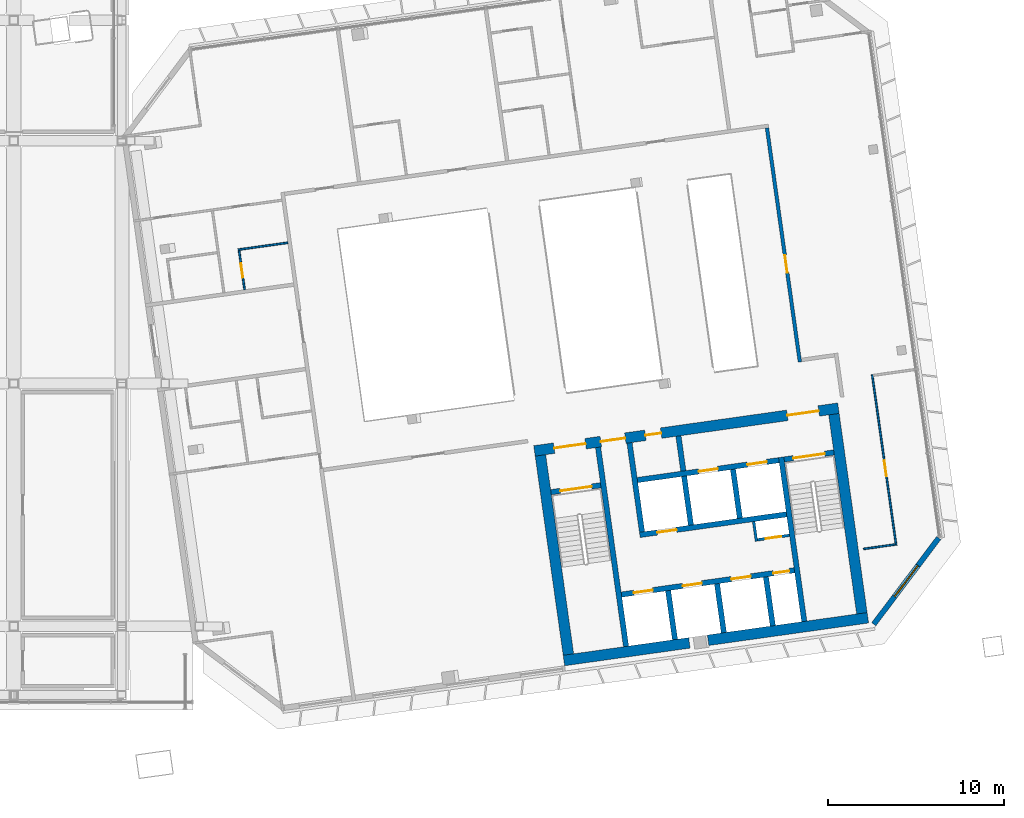
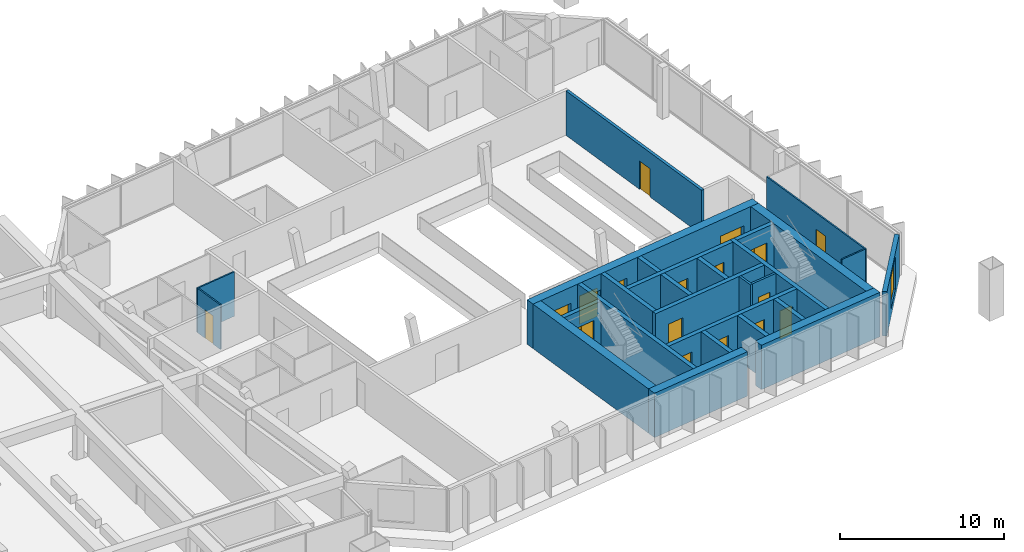
# One storey, part 19 of 25: 27 walls, 17 doors, 1 window, 18 openings.
"""IFC4 building model written with IfcOpenShell, lengths in metres."""

import ifcopenshell
import ifcopenshell.guid

model = None  # the IFC model being written
_history = None  # IfcOwnerHistory: only IFC2X3 demands one
_inside = {}  # id of a spatial element -> (the spatial element, [elements in it])
_under = {}  # id of a project, library or spatial element -> (it, [spatial elements below it])
_declared = {}  # id of a project -> (the project, [libraries it declares])
_typed = {}  # id of a type object -> (the type object, [elements of that type])
_made_of = {}  # id of a material, layer set ... -> (it, [elements and type objects made of it])


def new_model(schema):
    """Start an empty IFC model of exactly this schema.

    Asked for "IFC4X3", IfcOpenShell would pick the latest addendum, in which some entities
    have other attributes; the version numbers below select the first issue.
    IFC2X3 requires an IfcOwnerHistory on every rooted entity: one is made here for all.
    """
    global model, _history
    if schema == "IFC4X3":
        model = ifcopenshell.file(schema_version=(4, 3, 0, 0))
    else:
        model = ifcopenshell.file(schema=schema)
    _inside.clear()
    _under.clear()
    _declared.clear()
    _typed.clear()
    _made_of.clear()
    _history = None
    if model.schema == "IFC2X3":
        org = make("IfcOrganization", Name="unknown")
        user = make(
            "IfcPersonAndOrganization",
            ThePerson=make("IfcPerson", FamilyName="unknown"),
            TheOrganization=org,
        )
        app = make(
            "IfcApplication",
            ApplicationDeveloper=org,
            Version="unknown",
            ApplicationFullName="unknown",
            ApplicationIdentifier="unknown",
        )
        _history = make(
            "IfcOwnerHistory",
            OwningUser=user,
            OwningApplication=app,
            ChangeAction="ADDED",
            CreationDate=0,
        )
    return model


def make(cls, **values):
    """One entity of the class cls with the attributes given. An attribute that is None is left unset."""
    return model.create_entity(
        cls, **{name: value for name, value in values.items() if value is not None}
    )


def rooted(cls, **values):
    """An entity with a GlobalId (a new one), such as an element, a storey or a relation."""
    return make(cls, GlobalId=ifcopenshell.guid.new(), OwnerHistory=_history, **values)


def si_unit(unit_type, name, prefix=None):
    """IfcSIUnit, for example si_unit("LENGTHUNIT", "METRE", prefix="MILLI")."""
    return make("IfcSIUnit", UnitType=unit_type, Prefix=prefix, Name=name)


def assignment(units):
    """IfcUnitAssignment: the units of a project."""
    return None if units is None else make("IfcUnitAssignment", Units=units)


def point(xyz):
    """IfcCartesianPoint."""
    return None if xyz is None else make("IfcCartesianPoint", Coordinates=xyz)


def direction(xyz):
    """IfcDirection."""
    return None if xyz is None else make("IfcDirection", DirectionRatios=xyz)


def frame(location, z_axis=None, x_axis=None):
    """IfcAxis2Placement3D, a coordinate frame: its origin and axes. An axis left out is left unset."""
    return make(
        "IfcAxis2Placement3D",
        Location=point(location),
        Axis=direction(z_axis),
        RefDirection=direction(x_axis),
    )


def frame_2d(location, x_axis=None):
    """IfcAxis2Placement2D, a coordinate frame in the plane: its origin and x axis."""
    return make(
        "IfcAxis2Placement2D", Location=point(location), RefDirection=direction(x_axis)
    )


def origin():
    """The frame at (0, 0, 0) with its axes left unset."""
    return frame((0.0, 0.0, 0.0))


def place(relative_to, where):
    """IfcLocalPlacement: puts the frame where relative to a parent placement (None: the world)."""
    return make(
        "IfcLocalPlacement", PlacementRelTo=relative_to, RelativePlacement=where
    )


def context(
    kind, dimensions, precision=None, world=None, true_north=None, identifier=None
):
    """IfcGeometricRepresentationContext, for example the 3D "Model" context."""
    return make(
        "IfcGeometricRepresentationContext",
        ContextIdentifier=identifier,
        ContextType=kind,
        CoordinateSpaceDimension=dimensions,
        Precision=precision,
        WorldCoordinateSystem=world,
        TrueNorth=true_north,
    )


def subcontext(parent, identifier, kind, view, scale=None):
    """IfcGeometricRepresentationSubContext, for example "Body" below "Model"."""
    return make(
        "IfcGeometricRepresentationSubContext",
        ContextIdentifier=identifier,
        ContextType=kind,
        ParentContext=parent,
        TargetScale=scale,
        TargetView=view,
    )


def project(units=None, contexts=None):
    """IfcProject with its units and contexts."""
    return rooted(
        "IfcProject",
        Name="project",
        RepresentationContexts=contexts,
        UnitsInContext=assignment(units),
    )


def spatial(cls, under=None, at=None, **own):
    """A site, building, storey or space (cls), placed at a placement, below another one or the project."""
    s = rooted(cls, ObjectPlacement=at, **own)
    if under is not None:
        _under.setdefault(under.id(), (under, []))[1].append(s)
    return s


def profile(cls, at=None, kind="AREA", **sizes):
    """A parametric profile (cls). Its sizes go by their IFC names, for example OverallWidth=200.0."""
    return make(cls, ProfileType=kind, Position=at, **sizes)


def rectangle(**sizes):
    """IfcRectangleProfileDef."""
    return profile("IfcRectangleProfileDef", **sizes)


def extrude(swept, where, along, depth):
    """IfcExtrudedAreaSolid: the profile swept, set in the frame where, extruded along a direction by depth."""
    return make(
        "IfcExtrudedAreaSolid",
        SweptArea=swept,
        Position=where,
        ExtrudedDirection=direction(along),
        Depth=depth,
    )


def shape(context_of_items, identifier, shape_type, items):
    """IfcShapeRepresentation: the items that make up one representation, for example the "Body"."""
    return make(
        "IfcShapeRepresentation",
        ContextOfItems=context_of_items,
        RepresentationIdentifier=identifier,
        RepresentationType=shape_type,
        Items=items,
    )


def material(Name=None, Category=None):
    """IfcMaterial."""
    return make("IfcMaterial", Name=Name, Category=Category)


def layer(
    of_material, thickness, ventilated=None, Name=None, Category=None, Priority=None
):
    """IfcMaterialLayer: one layer of a wall or slab, of a material (None: an air gap)."""
    return make(
        "IfcMaterialLayer",
        Material=of_material,
        LayerThickness=thickness,
        IsVentilated=ventilated,
        Name=Name,
        Category=Category,
        Priority=Priority,
    )


def layer_set(layers, Name=None):
    """IfcMaterialLayerSet."""
    return make("IfcMaterialLayerSet", MaterialLayers=layers, LayerSetName=Name)


def made_of(thing, what):
    """Note that an element or type object is made of a material, layer set ...; save() writes the relation."""
    if what is not None:
        _made_of.setdefault(what.id(), (what, []))[1].append(thing)
    return thing


def type_object(cls, material=None, **own):
    """A type object (cls), such as IfcWallType, which elements share."""
    return made_of(rooted(cls, **own), material)


def element(
    cls,
    number,
    at=None,
    inside=None,
    cuts=None,
    type_object=None,
    material=None,
    context=None,
    identifier="Body",
    shape_type=None,
    held_by="IfcProductDefinitionShape",
    body=None,
    shapes=None,
    **own,
):
    """One element of the class cls, such as IfcWall. Its Tag is "e" and its number.

    at: its placement. inside: the storey or other place that contains it. cuts: it is an
    opening in that element (IfcRelVoidsElement). A single representation is given by context,
    identifier, shape_type and body (its items); several are given by shapes. held_by: the class
    of the entity that holds the representations. save() writes the other relations.
    """
    e = rooted(cls, Tag="e%d" % number, ObjectPlacement=at, **own)
    if body is not None:
        shapes = [shape(context, identifier, shape_type, body)]
    if shapes is not None:
        e.Representation = make(held_by, Representations=shapes)
    if inside is not None:
        _inside.setdefault(inside.id(), (inside, []))[1].append(e)
    if cuts is not None:
        rooted(
            "IfcRelVoidsElement", RelatingBuildingElement=cuts, RelatedOpeningElement=e
        )
    if type_object is not None:
        _typed.setdefault(type_object.id(), (type_object, []))[1].append(e)
    return made_of(e, material)


def fill(opening, filler):
    """IfcRelFillsElement: the door or window that sits in an opening."""
    return rooted(
        "IfcRelFillsElement",
        RelatingOpeningElement=opening,
        RelatedBuildingElement=filler,
    )


def aggregate(whole, parts):
    """IfcRelAggregates: a whole, such as a stair, and the parts it consists of."""
    return rooted("IfcRelAggregates", RelatingObject=whole, RelatedObjects=parts)


def save(model, path):
    """Write the relations noted so far, then the file.

    IfcRelAggregates (storeys below a building ...), IfcRelContainedInSpatialStructure (elements
    in a storey), IfcRelDefinesByType, IfcRelAssociatesMaterial and IfcRelDeclares: one each for
    every whole, place, type object, material and project.
    """
    for whole, parts in _under.values():
        aggregate(whole, parts)
    for where, things in _inside.values():
        rooted(
            "IfcRelContainedInSpatialStructure",
            RelatedElements=things,
            RelatingStructure=where,
        )
    for kind, things in _typed.values():
        rooted("IfcRelDefinesByType", RelatedObjects=things, RelatingType=kind)
    for what, things in _made_of.values():
        rooted("IfcRelAssociatesMaterial", RelatedObjects=things, RelatingMaterial=what)
    for by, libraries in _declared.values():
        rooted("IfcRelDeclares", RelatingContext=by, RelatedDefinitions=libraries)
    model.write(path)


model = new_model("IFC4")

# Units and contexts
model_context = context("Model", 3, precision=1e-05, world=origin(), true_north=direction((0.0, 1.0)))
body_context = subcontext(model_context, "Body", "Model", "MODEL_VIEW")
ifc_project = project(units=[si_unit("LENGTHUNIT", "METRE"), si_unit("AREAUNIT", "SQUARE_METRE"), si_unit("VOLUMEUNIT", "CUBIC_METRE"), si_unit("PLANEANGLEUNIT", "RADIAN"), si_unit("MASSUNIT", "GRAM", prefix="KILO")], contexts=[model_context])

# Site, building, storey
site_placement = place(None, origin())
site = spatial("IfcSite", under=ifc_project, at=site_placement, CompositionType="ELEMENT")
building_placement = place(site_placement, origin())
building = spatial("IfcBuilding", under=site, at=building_placement, Name="Mirante Cascada Hotel Towers", CompositionType="ELEMENT")
storey_placement = place(building_placement, frame((0.0, 0.0, 266.0)))
storey = spatial("IfcBuildingStorey", under=building, at=storey_placement, Name="L64", CompositionType="ELEMENT", Elevation=266.0)

# Wall, opening, door
ifc_material_1 = material(Name="Fire-rated plasterboard on metal studs")
ifc_layer_1 = layer(ifc_material_1, 0.2)
ifc_layer_set_1 = layer_set([ifc_layer_1], Name="Compartment wall 200 EI 120")
wall_type_1 = type_object("IfcWallType", Name="Compartment wall 200 EI 120", PredefinedType="PARTITIONING", material=ifc_layer_set_1)
wall_1_placement = place(storey_placement, frame((48.8237, 10.6428, 0.0), z_axis=(0.0, 0.0, 1.0), x_axis=(0.1391716, -0.9902683, 0.0)))
wall_1 = element("IfcWall", 1, at=wall_1_placement, inside=storey, type_object=wall_type_1, Name="Wall 2-L64-42", PredefinedType="PARTITIONING", context=body_context, shape_type="SweptSolid", body=[
    extrude(rectangle(XDim=13.4, YDim=0.2, at=frame_2d((6.7, 0.0))), origin(), (0.0, 0.0, 1.0), 3.3),
])
opening_1_placement = place(wall_1_placement, frame((7.3, 0.0, 0.0)))
opening_1 = element("IfcOpeningElement", 2, at=opening_1_placement, cuts=wall_1, Name="Opening D2-L64-26", PredefinedType="OPENING", context=body_context, shape_type="SweptSolid", body=[
    extrude(rectangle(XDim=1.0, YDim=2.1, at=frame_2d((0.5, 1.05))), frame((0.0, 0.1, 0.0), z_axis=(0.0, -1.0, 0.0), x_axis=(1.0, 0.0, 0.0)), (0.0, 0.0, 1.0), 0.2),
])
ifc_material_2 = material(Name="Fire-rated timber door leaf", Category="wood")
door_type_1 = type_object("IfcDoorType", Name="Entrance door DG1 1000x2100 EI 60", OperationType="SINGLE_SWING_LEFT", PredefinedType="DOOR", material=ifc_material_2)
door_1_placement = place(opening_1_placement, origin())
door_1 = element("IfcDoor", 3, at=door_1_placement, inside=storey, type_object=door_type_1, Name="Door D2-L64-26", OperationType="SINGLE_SWING_LEFT", OverallHeight=2.1, OverallWidth=1.0, PredefinedType="DOOR", context=body_context, shape_type="SweptSolid", body=[
    extrude(rectangle(XDim=1.0, YDim=2.1, at=frame_2d((0.5, 1.05))), frame((0.0, 0.025, 0.0), z_axis=(0.0, -1.0, 0.0), x_axis=(1.0, 0.0, 0.0)), (0.0, 0.0, 1.0), 0.05),
])
fill(opening_1, door_1)

# Wall
ifc_material_3 = material(Name="Masonry block", Category="masonry")
ifc_layer_2 = layer(ifc_material_3, 0.15)
ifc_layer_set_2 = layer_set([ifc_layer_2], Name="Core room partition 150 block EI 30")
wall_type_2 = type_object("IfcWallType", Name="Core room partition 150 block EI 30", PredefinedType="PARTITIONING", material=ifc_layer_set_2)
wall_2_placement = place(storey_placement, frame((48.2295, -12.793, 0.0), z_axis=(0.0, 0.0, 1.0), x_axis=(-0.1391935, 0.9902652, 0.0)))
element("IfcWall", 4, at=wall_2_placement, inside=storey, type_object=wall_type_2, Name="Core wall partition T2 L64 2", PredefinedType="PARTITIONING", context=body_context, shape_type="SweptSolid", body=[
    extrude(rectangle(XDim=1.1251, YDim=0.15, at=frame_2d((0.5626, 0.0))), origin(), (0.0, 0.0, 1.0), 3.3),
])

# Wall, opening, door
wall_3_placement = place(storey_placement, frame((48.2933, -12.7083, 0.0), z_axis=(0.0, 0.0, 1.0), x_axis=(0.990268, 0.1391734, 0.0)))
wall_3 = element("IfcWall", 5, at=wall_3_placement, inside=storey, type_object=wall_type_2, Name="Core wall partition T2 L64 3", PredefinedType="PARTITIONING", context=body_context, shape_type="SweptSolid", body=[
    extrude(rectangle(XDim=1.8251, YDim=0.15, at=frame_2d((0.9126, 0.0))), origin(), (0.0, 0.0, 1.0), 3.3),
])
opening_2_placement = place(wall_3_placement, frame((0.4625, 0.0, 0.0)))
opening_2 = element("IfcOpeningElement", 6, at=opening_2_placement, cuts=wall_3, Name="Opening D2-64-C13", PredefinedType="OPENING", context=body_context, shape_type="SweptSolid", body=[
    extrude(rectangle(XDim=0.9, YDim=2.1, at=frame_2d((0.45, 1.05))), frame((0.0, 0.075, 0.0), z_axis=(0.0, -1.0, 0.0), x_axis=(1.0, 0.0, 0.0)), (0.0, 0.0, 1.0), 0.15),
])
ifc_material_4 = material(Name="Hollow metal fire door leaf")
door_type_2 = type_object("IfcDoorType", Name="Fire door 900x2100 FD60", OperationType="NOTDEFINED", PredefinedType="DOOR", material=ifc_material_4)
door_2_placement = place(opening_2_placement, frame((0.9, 0.0, 0.0), z_axis=(0.0, 0.0, 1.0), x_axis=(-1.0, 0.0, 0.0)))
door_2 = element("IfcDoor", 7, at=door_2_placement, inside=storey, type_object=door_type_2, Name="Riser door T2 L64 13", OperationType="SINGLE_SWING_RIGHT", OverallHeight=2.1, OverallWidth=0.9, PredefinedType="DOOR", context=body_context, shape_type="SweptSolid", body=[
    extrude(rectangle(XDim=0.9, YDim=2.1, at=frame_2d((0.45, 1.05))), frame((0.0, 0.025, 0.0), z_axis=(0.0, -1.0, 0.0), x_axis=(1.0, 0.0, 0.0)), (0.0, 0.0, 1.0), 0.05),
])
fill(opening_2, door_2)

# Walls
ifc_material_5 = material(Name="Masonry block", Category="masonry")
ifc_layer_3 = layer(ifc_material_5, 0.3)
ifc_layer_set_3 = layer_set([ifc_layer_3], Name="Core wall 300 block EI 120")
wall_type_3 = type_object("IfcWallType", Name="Core wall 300 block EI 120", PredefinedType="PARTITIONING", material=ifc_layer_set_3)
wall_4_placement = place(storey_placement, frame((44.0843, -8.8061, 0.0), z_axis=(0.0, 0.0, 1.0), x_axis=(-0.1391951, 0.990265, 0.0)))
element("IfcWall", 8, at=wall_4_placement, inside=storey, type_object=wall_type_3, Name="Core wall partition T2 L64 1", PredefinedType="PARTITIONING", context=body_context, shape_type="SweptSolid", body=[
    extrude(rectangle(XDim=2.0001, YDim=0.3, at=frame_2d((1.0001, 0.0))), origin(), (0.0, 0.0, 1.0), 3.3),
])
ifc_material_6 = material(Name="Plasterboard on metal studs")
ifc_layer_4 = layer(ifc_material_6, 0.1)
ifc_layer_set_4 = layer_set([ifc_layer_4], Name="Partition 100")
wall_type_4 = type_object("IfcWallType", Name="Partition 100", PredefinedType="PARTITIONING", material=ifc_layer_set_4)
wall_5_placement = place(storey_placement, frame((56.0914, -12.9756, 0.0), z_axis=(0.0, 0.0, 1.0), x_axis=(-0.9902685, -0.1391702, 0.0)))
element("IfcWall", 9, at=wall_5_placement, inside=storey, type_object=wall_type_4, Name="Wall 2-L64-02", PredefinedType="PARTITIONING", context=body_context, shape_type="SweptSolid", body=[
    extrude(rectangle(XDim=1.81, YDim=0.1, at=frame_2d((0.905, 0.0))), origin(), (0.0, 0.0, 1.0), 3.3),
])
wall_6_placement = place(storey_placement, frame((21.6653, 4.133, 0.0), z_axis=(0.0, 0.0, 1.0), x_axis=(-0.9902697, -0.1391613, 0.0)))
element("IfcWall", 10, at=wall_6_placement, inside=storey, type_object=wall_type_4, Name="Wall 2-L64-12", PredefinedType="PARTITIONING", context=body_context, shape_type="SweptSolid", body=[
    extrude(rectangle(XDim=2.8499, YDim=0.1, at=frame_2d((1.425, 0.0))), origin(), (0.0, 0.0, 1.0), 3.3),
])

# Wall, opening, door
wall_7_placement = place(storey_placement, frame((18.8995, 3.6938, 0.0), z_axis=(0.0, 0.0, 1.0), x_axis=(0.1391997, -0.9902643, 0.0)))
wall_7 = element("IfcWall", 11, at=wall_7_placement, inside=storey, type_object=wall_type_4, Name="Wall 2-L64-32", PredefinedType="PARTITIONING", context=body_context, shape_type="SweptSolid", body=[
    extrude(rectangle(XDim=2.25, YDim=0.1, at=frame_2d((1.125, 0.0))), origin(), (0.0, 0.0, 1.0), 3.3),
])
opening_3_placement = place(wall_7_placement, frame((0.75, 0.0, 0.0)))
opening_3 = element("IfcOpeningElement", 12, at=opening_3_placement, cuts=wall_7, Name="Opening D2-L64-21", PredefinedType="OPENING", context=body_context, shape_type="SweptSolid", body=[
    extrude(rectangle(XDim=0.8, YDim=2.1, at=frame_2d((0.4, 1.05))), frame((0.0, 0.05, 0.0), z_axis=(0.0, -1.0, 0.0), x_axis=(1.0, 0.0, 0.0)), (0.0, 0.0, 1.0), 0.1),
])
ifc_material_7 = material(Name="Timber door leaf", Category="wood")
door_type_3 = type_object("IfcDoorType", Name="Bathroom door DG4 800x2100", OperationType="SINGLE_SWING_LEFT", PredefinedType="DOOR", material=ifc_material_7)
door_3_placement = place(opening_3_placement, origin())
door_3 = element("IfcDoor", 13, at=door_3_placement, inside=storey, type_object=door_type_3, Name="Door D2-L64-21", OperationType="SINGLE_SWING_LEFT", OverallHeight=2.1, OverallWidth=0.8, PredefinedType="DOOR", context=body_context, shape_type="SweptSolid", body=[
    extrude(rectangle(XDim=0.8, YDim=2.1, at=frame_2d((0.4, 1.05))), frame((0.0, 0.025, 0.0), z_axis=(0.0, -1.0, 0.0), x_axis=(1.0, 0.0, 0.0)), (0.0, 0.0, 1.0), 0.05),
])
fill(opening_3, door_3)

wall_8_placement = place(storey_placement, frame((54.7886, -3.3465, 0.0), z_axis=(0.0, 0.0, 1.0), x_axis=(0.1391776, -0.9902674, 0.0)))
wall_8 = element("IfcWall", 14, at=wall_8_placement, inside=storey, type_object=wall_type_4, Name="Wall 2-L64-46", PredefinedType="PARTITIONING", context=body_context, shape_type="SweptSolid", body=[
    extrude(rectangle(XDim=9.7667, YDim=0.1, at=frame_2d((4.8834, 0.0))), origin(), (0.0, 0.0, 1.0), 3.3),
])
opening_4_placement = place(wall_8_placement, frame((4.9167, 0.0, 0.0)))
opening_4 = element("IfcOpeningElement", 15, at=opening_4_placement, cuts=wall_8, Name="Opening D2-L64-28", PredefinedType="OPENING", context=body_context, shape_type="SweptSolid", body=[
    extrude(rectangle(XDim=0.9, YDim=2.1, at=frame_2d((0.45, 1.05))), frame((0.0, 0.05, 0.0), z_axis=(0.0, -1.0, 0.0), x_axis=(1.0, 0.0, 0.0)), (0.0, 0.0, 1.0), 0.1),
])
ifc_material_8 = material(Name="Timber door leaf", Category="wood")
door_type_4 = type_object("IfcDoorType", Name="Room door DG3 900x2100", OperationType="SINGLE_SWING_LEFT", PredefinedType="DOOR", material=ifc_material_8)
door_4_placement = place(opening_4_placement, frame((0.9, 0.0, 0.0), z_axis=(0.0, 0.0, 1.0), x_axis=(-1.0, 0.0, 0.0)))
door_4 = element("IfcDoor", 16, at=door_4_placement, inside=storey, type_object=door_type_4, Name="Door D2-L64-28", OperationType="SINGLE_SWING_RIGHT", OverallHeight=2.1, OverallWidth=0.9, PredefinedType="DOOR", context=body_context, shape_type="SweptSolid", body=[
    extrude(rectangle(XDim=0.9, YDim=2.1, at=frame_2d((0.45, 1.05))), frame((0.0, 0.025, 0.0), z_axis=(0.0, -1.0, 0.0), x_axis=(1.0, 0.0, 0.0)), (0.0, 0.0, 1.0), 0.05),
])
fill(opening_4, door_4)

# Wall, opening, window
ifc_material_9 = material(Name="Precast concrete C40/50", Category="concrete")
ifc_layer_5 = layer(ifc_material_9, 0.3)
ifc_layer_set_5 = layer_set([ifc_layer_5], Name="Precast concrete C40/50 cladding wall 300")
wall_type_5 = type_object("IfcWallType", Name="Precast concrete C40/50 cladding wall 300", PredefinedType="STANDARD", material=ifc_layer_set_5)
wall_9_placement = place(storey_placement, frame((54.8802, -17.4943, 0.0), z_axis=(0.0, 0.0, 1.0), x_axis=(0.6018141, 0.7986362, 0.0)))
wall_9 = element("IfcWall", 17, at=wall_9_placement, inside=storey, type_object=wall_type_5, Name="Corner cladding wall T2 L64 rear outer", PredefinedType="STANDARD", context=body_context, shape_type="SweptSolid", body=[
    extrude(rectangle(XDim=6.1157, YDim=0.3, at=frame_2d((3.0578, 0.0))), origin(), (0.0, 0.0, 1.0), 3.3),
])
opening_5_placement = place(wall_9_placement, frame((1.9578, 0.0, 0.6)))
opening_5 = element("IfcOpeningElement", 18, at=opening_5_placement, cuts=wall_9, Name="Opening W2-64-05", PredefinedType="OPENING", context=body_context, shape_type="SweptSolid", body=[
    extrude(rectangle(XDim=2.2, YDim=2.4, at=frame_2d((1.1, 1.2))), frame((0.0, 0.15, 0.0), z_axis=(0.0, -1.0, 0.0), x_axis=(1.0, 0.0, 0.0)), (0.0, 0.0, 1.0), 0.3),
])
ifc_material_10 = material(Name="Aluminium frame with clear double glazing", Category="aluminium")
window_type = type_object("IfcWindowType", Name="Corner suite window 2200x2400", PartitioningType="DOUBLE_PANEL_VERTICAL", PredefinedType="WINDOW", material=ifc_material_10)
window_placement = place(opening_5_placement, origin())
window = element("IfcWindow", 19, at=window_placement, inside=storey, type_object=window_type, Name="Window W2-64-05", OverallHeight=2.4, OverallWidth=2.2, PartitioningType="SINGLE_PANEL", PredefinedType="WINDOW", context=body_context, shape_type="SweptSolid", body=[
    extrude(rectangle(XDim=2.2, YDim=2.4, at=frame_2d((1.1, 1.2))), frame((0.0, 0.03, 0.0), z_axis=(0.0, -1.0, 0.0), x_axis=(1.0, 0.0, 0.0)), (0.0, 0.0, 1.0), 0.06),
])
fill(opening_5, window)

# Walls
ifc_material_11 = material(Name="Concrete C50/60", Category="concrete")
ifc_layer_6 = layer(ifc_material_11, 0.3)
ifc_layer_set_6 = layer_set([ifc_layer_6], Name="RC core wall 300 C50/60")
wall_type_6 = type_object("IfcWallType", Name="RC core wall 300 C50/60", PredefinedType="SHEAR", material=ifc_layer_set_6)
wall_10_placement = place(storey_placement, frame((40.8373, -18.7548, 0.0), z_axis=(0.0, 0.0, 1.0), x_axis=(-0.1391749, 0.9902678, 0.0)))
element("IfcWall", 20, at=wall_10_placement, inside=storey, type_object=wall_type_6, Name="Core wall T2:L64:5", PredefinedType="SHEAR", context=body_context, shape_type="SweptSolid", body=[
    extrude(rectangle(XDim=11.4, YDim=0.3, at=frame_2d((5.7, 0.0))), origin(), (0.0, 0.0, 1.0), 3.3),
])
wall_11_placement = place(storey_placement, frame((50.938, -17.3352, 0.0), z_axis=(0.0, 0.0, 1.0), x_axis=(-0.1391706, 0.9902684, 0.0)))
element("IfcWall", 21, at=wall_11_placement, inside=storey, type_object=wall_type_6, Name="Core wall T2:L64:6", PredefinedType="SHEAR", context=body_context, shape_type="SweptSolid", body=[
    extrude(rectangle(XDim=9.4, YDim=0.3, at=frame_2d((4.7, 0.0))), origin(), (0.0, 0.0, 1.0), 3.3),
])

# Wall, opening, door
wall_12_placement = place(storey_placement, frame((36.5791, -10.0123, 0.0), z_axis=(0.0, 0.0, 1.0), x_axis=(0.9902704, 0.1391564, 0.0)))
wall_12 = element("IfcWall", 22, at=wall_12_placement, inside=storey, type_object=wall_type_6, Name="Core wall T2:L64:7", PredefinedType="SHEAR", context=body_context, shape_type="SweptSolid", body=[
    extrude(rectangle(XDim=2.85, YDim=0.3, at=frame_2d((1.425, 0.0))), origin(), (0.0, 0.0, 1.0), 3.3),
])
opening_6_placement = place(wall_12_placement, frame((0.525, 0.0, 0.0)))
opening_6 = element("IfcOpeningElement", 23, at=opening_6_placement, cuts=wall_12, Name="Opening D2-64-C07", PredefinedType="OPENING", context=body_context, shape_type="SweptSolid", body=[
    extrude(rectangle(XDim=1.8, YDim=2.1, at=frame_2d((0.9, 1.05))), frame((0.0, 0.15, 0.0), z_axis=(0.0, -1.0, 0.0), x_axis=(1.0, 0.0, 0.0)), (0.0, 0.0, 1.0), 0.3),
])
ifc_material_12 = material(Name="Hollow metal fire door leaf")
door_type_5 = type_object("IfcDoorType", Name="Double fire door 1800x2100 FD60", OperationType="DOUBLE_DOOR_SINGLE_SWING", PredefinedType="DOOR", material=ifc_material_12)
door_5_placement = place(opening_6_placement, frame((1.8, 0.0, 0.0), z_axis=(0.0, 0.0, 1.0), x_axis=(-1.0, 0.0, 0.0)))
door_5 = element("IfcDoor", 24, at=door_5_placement, inside=storey, type_object=door_type_5, Name="Stair door T2 L64 7", OperationType="DOUBLE_DOOR_SINGLE_SWING", OverallHeight=2.1, OverallWidth=1.8, PredefinedType="DOOR", context=body_context, shape_type="SweptSolid", body=[
    extrude(rectangle(XDim=0.895, YDim=2.1, at=frame_2d((0.4475, 1.05))), frame((0.0, 0.025, 0.0), z_axis=(0.0, -1.0, 0.0), x_axis=(1.0, 0.0, 0.0)), (0.0, 0.0, 1.0), 0.05),
    extrude(rectangle(XDim=0.895, YDim=2.1, at=frame_2d((1.3525, 1.05))), frame((0.0, 0.025, 0.0), z_axis=(0.0, -1.0, 0.0), x_axis=(1.0, 0.0, 0.0)), (0.0, 0.0, 1.0), 0.05),
])
fill(opening_6, door_5)

wall_13_placement = place(storey_placement, frame((49.7992, -8.1544, 0.0), z_axis=(0.0, 0.0, 1.0), x_axis=(0.9902656, 0.1391909, 0.0)))
wall_13 = element("IfcWall", 25, at=wall_13_placement, inside=storey, type_object=wall_type_6, Name="Core wall T2:L64:8", PredefinedType="SHEAR", context=body_context, shape_type="SweptSolid", body=[
    extrude(rectangle(XDim=2.85, YDim=0.3, at=frame_2d((1.425, 0.0))), origin(), (0.0, 0.0, 1.0), 3.3),
])
opening_7_placement = place(wall_13_placement, frame((0.525, 0.0, 0.0)))
opening_7 = element("IfcOpeningElement", 26, at=opening_7_placement, cuts=wall_13, Name="Opening D2-64-C09", PredefinedType="OPENING", context=body_context, shape_type="SweptSolid", body=[
    extrude(rectangle(XDim=1.8, YDim=2.1, at=frame_2d((0.9, 1.05))), frame((0.0, 0.15, 0.0), z_axis=(0.0, -1.0, 0.0), x_axis=(1.0, 0.0, 0.0)), (0.0, 0.0, 1.0), 0.3),
])
door_6_placement = place(opening_7_placement, frame((1.8, 0.0, 0.0), z_axis=(0.0, 0.0, 1.0), x_axis=(-1.0, 0.0, 0.0)))
door_6 = element("IfcDoor", 27, at=door_6_placement, inside=storey, type_object=door_type_5, Name="Stair door T2 L64 9", OperationType="DOUBLE_DOOR_SINGLE_SWING", OverallHeight=2.1, OverallWidth=1.8, PredefinedType="DOOR", context=body_context, shape_type="SweptSolid", body=[
    extrude(rectangle(XDim=0.895, YDim=2.1, at=frame_2d((0.4475, 1.05))), frame((0.0, 0.025, 0.0), z_axis=(0.0, -1.0, 0.0), x_axis=(1.0, 0.0, 0.0)), (0.0, 0.0, 1.0), 0.05),
    extrude(rectangle(XDim=0.895, YDim=2.1, at=frame_2d((1.3525, 1.05))), frame((0.0, 0.025, 0.0), z_axis=(0.0, -1.0, 0.0), x_axis=(1.0, 0.0, 0.0)), (0.0, 0.0, 1.0), 0.05),
])
fill(opening_7, door_6)

# Wall, openings, doors
wall_14_placement = place(storey_placement, frame((40.5753, -15.8126, 0.0), z_axis=(0.0, 0.0, 1.0), x_axis=(0.9902682, 0.1391725, 0.0)))
wall_14 = element("IfcWall", 28, at=wall_14_placement, inside=storey, type_object=wall_type_6, Name="Core wall T2:L64:9", PredefinedType="SHEAR", context=body_context, shape_type="SweptSolid", body=[
    extrude(rectangle(XDim=9.8999, YDim=0.3, at=frame_2d((4.95, 0.0))), origin(), (0.0, 0.0, 1.0), 3.3),
])
opening_8_placement = place(wall_14_placement, frame((0.7, 0.0, 0.0)))
opening_8 = element("IfcOpeningElement", 29, at=opening_8_placement, cuts=wall_14, Name="Opening LD", PredefinedType="OPENING", context=body_context, shape_type="SweptSolid", body=[
    extrude(rectangle(XDim=1.1, YDim=2.1, at=frame_2d((0.55, 1.05))), frame((0.0, 0.15, 0.0), z_axis=(0.0, -1.0, 0.0), x_axis=(1.0, 0.0, 0.0)), (0.0, 0.0, 1.0), 0.3),
])
opening_9_placement = place(wall_14_placement, frame((3.5, 0.0, 0.0)))
opening_9 = element("IfcOpeningElement", 30, at=opening_9_placement, cuts=wall_14, Name="Opening LD", PredefinedType="OPENING", context=body_context, shape_type="SweptSolid", body=[
    extrude(rectangle(XDim=1.1, YDim=2.1, at=frame_2d((0.55, 1.05))), frame((0.0, 0.15, 0.0), z_axis=(0.0, -1.0, 0.0), x_axis=(1.0, 0.0, 0.0)), (0.0, 0.0, 1.0), 0.3),
])
opening_10_placement = place(wall_14_placement, frame((6.3, 0.0, 0.0)))
opening_10 = element("IfcOpeningElement", 31, at=opening_10_placement, cuts=wall_14, Name="Opening LD", PredefinedType="OPENING", context=body_context, shape_type="SweptSolid", body=[
    extrude(rectangle(XDim=1.1, YDim=2.1, at=frame_2d((0.55, 1.05))), frame((0.0, 0.15, 0.0), z_axis=(0.0, -1.0, 0.0), x_axis=(1.0, 0.0, 0.0)), (0.0, 0.0, 1.0), 0.3),
])
opening_11_placement = place(wall_14_placement, frame((8.7, 0.0, 0.0)))
opening_11 = element("IfcOpeningElement", 32, at=opening_11_placement, cuts=wall_14, Name="Opening D2-64-C12", PredefinedType="OPENING", context=body_context, shape_type="SweptSolid", body=[
    extrude(rectangle(XDim=0.9, YDim=2.1, at=frame_2d((0.45, 1.05))), frame((0.0, 0.15, 0.0), z_axis=(0.0, -1.0, 0.0), x_axis=(1.0, 0.0, 0.0)), (0.0, 0.0, 1.0), 0.3),
])
door_7_placement = place(opening_11_placement, frame((0.9, 0.0, 0.0), z_axis=(0.0, 0.0, 1.0), x_axis=(-1.0, 0.0, 0.0)))
door_7 = element("IfcDoor", 33, at=door_7_placement, inside=storey, type_object=door_type_2, Name="Riser door T2 L64 12", OperationType="SINGLE_SWING_RIGHT", OverallHeight=2.1, OverallWidth=0.9, PredefinedType="DOOR", context=body_context, shape_type="SweptSolid", body=[
    extrude(rectangle(XDim=0.9, YDim=2.1, at=frame_2d((0.45, 1.05))), frame((0.0, 0.025, 0.0), z_axis=(0.0, -1.0, 0.0), x_axis=(1.0, 0.0, 0.0)), (0.0, 0.0, 1.0), 0.05),
])
fill(opening_11, door_7)
ifc_material_13 = material(Name="Stainless steel", Category="steel")
door_type_6 = type_object("IfcDoorType", Name="Lift landing door 1100x2100 EI 120", OperationType="DOUBLE_DOOR_SLIDING", PredefinedType="DOOR", material=ifc_material_13)
door_8_placement = place(opening_8_placement, origin())
door_8 = element("IfcDoor", 34, at=door_8_placement, inside=storey, type_object=door_type_6, Name="Lift landing door HR2-1 L64", OperationType="DOUBLE_DOOR_SLIDING", OverallHeight=2.1, OverallWidth=1.1, PredefinedType="DOOR", context=body_context, shape_type="SweptSolid", body=[
    extrude(rectangle(XDim=0.545, YDim=2.1, at=frame_2d((0.2725, 1.05))), frame((0.0, 0.025, 0.0), z_axis=(0.0, -1.0, 0.0), x_axis=(1.0, 0.0, 0.0)), (0.0, 0.0, 1.0), 0.05),
    extrude(rectangle(XDim=0.545, YDim=2.1, at=frame_2d((0.8275, 1.05))), frame((0.0, 0.025, 0.0), z_axis=(0.0, -1.0, 0.0), x_axis=(1.0, 0.0, 0.0)), (0.0, 0.0, 1.0), 0.05),
])
fill(opening_8, door_8)
door_9_placement = place(opening_9_placement, origin())
door_9 = element("IfcDoor", 35, at=door_9_placement, inside=storey, type_object=door_type_6, Name="Lift landing door HR2-2 L64", OperationType="DOUBLE_DOOR_SLIDING", OverallHeight=2.1, OverallWidth=1.1, PredefinedType="DOOR", context=body_context, shape_type="SweptSolid", body=[
    extrude(rectangle(XDim=0.545, YDim=2.1, at=frame_2d((0.2725, 1.05))), frame((0.0, 0.025, 0.0), z_axis=(0.0, -1.0, 0.0), x_axis=(1.0, 0.0, 0.0)), (0.0, 0.0, 1.0), 0.05),
    extrude(rectangle(XDim=0.545, YDim=2.1, at=frame_2d((0.8275, 1.05))), frame((0.0, 0.025, 0.0), z_axis=(0.0, -1.0, 0.0), x_axis=(1.0, 0.0, 0.0)), (0.0, 0.0, 1.0), 0.05),
])
fill(opening_9, door_9)
door_10_placement = place(opening_10_placement, origin())
door_10 = element("IfcDoor", 36, at=door_10_placement, inside=storey, type_object=door_type_6, Name="Lift landing door HR2-3 L64", OperationType="DOUBLE_DOOR_SLIDING", OverallHeight=2.1, OverallWidth=1.1, PredefinedType="DOOR", context=body_context, shape_type="SweptSolid", body=[
    extrude(rectangle(XDim=0.545, YDim=2.1, at=frame_2d((0.2725, 1.05))), frame((0.0, 0.025, 0.0), z_axis=(0.0, -1.0, 0.0), x_axis=(1.0, 0.0, 0.0)), (0.0, 0.0, 1.0), 0.05),
    extrude(rectangle(XDim=0.545, YDim=2.1, at=frame_2d((0.8275, 1.05))), frame((0.0, 0.025, 0.0), z_axis=(0.0, -1.0, 0.0), x_axis=(1.0, 0.0, 0.0)), (0.0, 0.0, 1.0), 0.05),
])
fill(opening_10, door_10)

# Wall, opening, door
wall_15_placement = place(storey_placement, frame((41.6153, -12.435, 0.0), z_axis=(0.0, 0.0, 1.0), x_axis=(0.9902691, 0.139166, 0.0)))
wall_15 = element("IfcWall", 37, at=wall_15_placement, inside=storey, type_object=wall_type_6, Name="Core wall T2:L64:10", PredefinedType="SHEAR", context=body_context, shape_type="SweptSolid", body=[
    extrude(rectangle(XDim=8.4, YDim=0.3, at=frame_2d((4.2, 0.0))), origin(), (0.0, 0.0, 1.0), 3.3),
])
opening_12_placement = place(wall_15_placement, frame((1.0, 0.0, 0.0)))
opening_12 = element("IfcOpeningElement", 38, at=opening_12_placement, cuts=wall_15, Name="Opening LD", PredefinedType="OPENING", context=body_context, shape_type="SweptSolid", body=[
    extrude(rectangle(XDim=1.1, YDim=2.1, at=frame_2d((0.55, 1.05))), frame((0.0, 0.15, 0.0), z_axis=(0.0, -1.0, 0.0), x_axis=(1.0, 0.0, 0.0)), (0.0, 0.0, 1.0), 0.3),
])
door_11_placement = place(opening_12_placement, origin())
door_11 = element("IfcDoor", 39, at=door_11_placement, inside=storey, type_object=door_type_6, Name="Lift landing door HR2-4 L64", OperationType="DOUBLE_DOOR_SLIDING", OverallHeight=2.1, OverallWidth=1.1, PredefinedType="DOOR", context=body_context, shape_type="SweptSolid", body=[
    extrude(rectangle(XDim=0.545, YDim=2.1, at=frame_2d((0.2725, 1.05))), frame((0.0, 0.025, 0.0), z_axis=(0.0, -1.0, 0.0), x_axis=(1.0, 0.0, 0.0)), (0.0, 0.0, 1.0), 0.05),
    extrude(rectangle(XDim=0.545, YDim=2.1, at=frame_2d((0.8275, 1.05))), frame((0.0, 0.025, 0.0), z_axis=(0.0, -1.0, 0.0), x_axis=(1.0, 0.0, 0.0)), (0.0, 0.0, 1.0), 0.05),
])
fill(opening_12, door_11)

# Wall, openings, doors
wall_16_placement = place(storey_placement, frame((41.481, -9.3234, 0.0), z_axis=(0.0, 0.0, 1.0), x_axis=(0.9902679, 0.1391741, 0.0)))
wall_16 = element("IfcWall", 40, at=wall_16_placement, inside=storey, type_object=wall_type_6, Name="Core wall T2:L64:11", PredefinedType="SHEAR", context=body_context, shape_type="SweptSolid", body=[
    extrude(rectangle(XDim=8.0999, YDim=0.3, at=frame_2d((4.05, 0.0))), origin(), (0.0, 0.0, 1.0), 3.3),
])
opening_13_placement = place(wall_16_placement, frame((3.5, 0.0, 0.0)))
opening_13 = element("IfcOpeningElement", 41, at=opening_13_placement, cuts=wall_16, Name="Opening LD", PredefinedType="OPENING", context=body_context, shape_type="SweptSolid", body=[
    extrude(rectangle(XDim=1.1, YDim=2.1, at=frame_2d((0.55, 1.05))), frame((0.0, 0.15, 0.0), z_axis=(0.0, -1.0, 0.0), x_axis=(1.0, 0.0, 0.0)), (0.0, 0.0, 1.0), 0.3),
])
opening_14_placement = place(wall_16_placement, frame((6.3, 0.0, 0.0)))
opening_14 = element("IfcOpeningElement", 42, at=opening_14_placement, cuts=wall_16, Name="Opening LD", PredefinedType="OPENING", context=body_context, shape_type="SweptSolid", body=[
    extrude(rectangle(XDim=1.1, YDim=2.1, at=frame_2d((0.55, 1.05))), frame((0.0, 0.15, 0.0), z_axis=(0.0, -1.0, 0.0), x_axis=(1.0, 0.0, 0.0)), (0.0, 0.0, 1.0), 0.3),
])
door_12_placement = place(opening_13_placement, origin())
door_12 = element("IfcDoor", 43, at=door_12_placement, inside=storey, type_object=door_type_6, Name="Lift landing door FF3 L64", OperationType="DOUBLE_DOOR_SLIDING", OverallHeight=2.1, OverallWidth=1.1, PredefinedType="DOOR", context=body_context, shape_type="SweptSolid", body=[
    extrude(rectangle(XDim=0.545, YDim=2.1, at=frame_2d((0.2725, 1.05))), frame((0.0, 0.025, 0.0), z_axis=(0.0, -1.0, 0.0), x_axis=(1.0, 0.0, 0.0)), (0.0, 0.0, 1.0), 0.05),
    extrude(rectangle(XDim=0.545, YDim=2.1, at=frame_2d((0.8275, 1.05))), frame((0.0, 0.025, 0.0), z_axis=(0.0, -1.0, 0.0), x_axis=(1.0, 0.0, 0.0)), (0.0, 0.0, 1.0), 0.05),
])
fill(opening_13, door_12)
door_13_placement = place(opening_14_placement, origin())
door_13 = element("IfcDoor", 44, at=door_13_placement, inside=storey, type_object=door_type_6, Name="Lift landing door FF4 L64", OperationType="DOUBLE_DOOR_SLIDING", OverallHeight=2.1, OverallWidth=1.1, PredefinedType="DOOR", context=body_context, shape_type="SweptSolid", body=[
    extrude(rectangle(XDim=0.545, YDim=2.1, at=frame_2d((0.2725, 1.05))), frame((0.0, 0.025, 0.0), z_axis=(0.0, -1.0, 0.0), x_axis=(1.0, 0.0, 0.0)), (0.0, 0.0, 1.0), 0.05),
    extrude(rectangle(XDim=0.545, YDim=2.1, at=frame_2d((0.8275, 1.05))), frame((0.0, 0.025, 0.0), z_axis=(0.0, -1.0, 0.0), x_axis=(1.0, 0.0, 0.0)), (0.0, 0.0, 1.0), 0.05),
])
fill(opening_14, door_13)

# Walls
wall_17_placement = place(storey_placement, frame((43.61, -18.3651, 0.0), z_axis=(0.0, 0.0, 1.0), x_axis=(-0.1391459, 0.9902719, 0.0)))
element("IfcWall", 45, at=wall_17_placement, inside=storey, type_object=wall_type_6, Name="Core wall T2:L64:12", PredefinedType="SHEAR", context=body_context, shape_type="SweptSolid", body=[
    extrude(rectangle(XDim=2.7999, YDim=0.3, at=frame_2d((1.4, 0.0))), origin(), (0.0, 0.0, 1.0), 3.3),
])
wall_18_placement = place(storey_placement, frame((46.3828, -17.9754, 0.0), z_axis=(0.0, 0.0, 1.0), x_axis=(-0.139181, 0.990267, 0.0)))
element("IfcWall", 46, at=wall_18_placement, inside=storey, type_object=wall_type_6, Name="Core wall T2:L64:13", PredefinedType="SHEAR", context=body_context, shape_type="SweptSolid", body=[
    extrude(rectangle(XDim=2.8, YDim=0.3, at=frame_2d((1.4, 0.0))), origin(), (0.0, 0.0, 1.0), 3.3),
])
wall_19_placement = place(storey_placement, frame((49.1555, -17.5857, 0.0), z_axis=(0.0, 0.0, 1.0), x_axis=(-0.1391459, 0.9902719, 0.0)))
element("IfcWall", 47, at=wall_19_placement, inside=storey, type_object=wall_type_6, Name="Core wall T2:L64:14", PredefinedType="SHEAR", context=body_context, shape_type="SweptSolid", body=[
    extrude(rectangle(XDim=2.7999, YDim=0.3, at=frame_2d((1.4, 0.0))), origin(), (0.0, 0.0, 1.0), 3.3),
])
for number, where, z_axis, x_axis, name in (
    (48, (44.5157, -11.8759, 0.0), (0.0, 0.0, 1.0), (-0.139181, 0.990267, 0.0), "Core wall T2:L64:15"),
    (49, (47.2885, -11.4862, 0.0), (0.0, 0.0, 1.0), (-0.139181, 0.990267, 0.0), "Core wall T2:L64:16"),
):
    element("IfcWall", number, at=place(storey_placement, frame(where, z_axis=z_axis, x_axis=x_axis)), inside=storey, type_object=wall_type_6, Name=name, PredefinedType="SHEAR", context=body_context, shape_type="SweptSolid", body=[
        extrude(rectangle(XDim=2.8, YDim=0.3, at=frame_2d((1.4, 0.0))), origin(), (0.0, 0.0, 1.0), 3.3),
    ])
wall_20_placement = place(storey_placement, frame((41.743, -12.2656, 0.0), z_axis=(0.0, 0.0, 1.0), x_axis=(-0.1391755, 0.9902677, 0.0)))
element("IfcWall", 50, at=wall_20_placement, inside=storey, type_object=wall_type_6, Name="Core wall T2:L64:17", PredefinedType="SHEAR", context=body_context, shape_type="SweptSolid", body=[
    extrude(rectangle(XDim=5.1, YDim=0.3, at=frame_2d((2.55, 0.0))), origin(), (0.0, 0.0, 1.0), 3.3),
])
ifc_material_14 = material(Name="Concrete C50/60", Category="concrete")
ifc_layer_7 = layer(ifc_material_14, 0.6)
ifc_layer_set_7 = layer_set([ifc_layer_7], Name="RC core wall 600 C50/60")
wall_type_7 = type_object("IfcWallType", Name="RC core wall 600 C50/60", PredefinedType="SHEAR", material=ifc_layer_set_7)
wall_21_placement = place(storey_placement, frame((37.3141, -19.5529, 0.0), z_axis=(0.0, 0.0, 1.0), x_axis=(0.9902685, 0.1391699, 0.0)))
element("IfcWall", 51, at=wall_21_placement, inside=storey, type_object=wall_type_7, Name="Core wall T2:L64:1.1", PredefinedType="SHEAR", context=body_context, shape_type="SweptSolid", body=[
    extrude(rectangle(XDim=7.1833, YDim=0.6, at=frame_2d((3.5916, 0.0))), origin(), (0.0, 0.0, 1.0), 3.3),
])
wall_22_placement = place(storey_placement, frame((45.4887, -18.404, 0.0), z_axis=(0.0, 0.0, 1.0), x_axis=(0.9902686, 0.139169, 0.0)))
element("IfcWall", 52, at=wall_22_placement, inside=storey, type_object=wall_type_7, Name="Core wall T2:L64:1.2", PredefinedType="SHEAR", context=body_context, shape_type="SweptSolid", body=[
    extrude(rectangle(XDim=9.145, YDim=0.6, at=frame_2d((4.5725, 0.0))), origin(), (0.0, 0.0, 1.0), 3.3),
])

# Wall, openings, doors
wall_23_placement = place(storey_placement, frame((35.644, -7.6697, 0.0), z_axis=(0.0, 0.0, 1.0), x_axis=(0.9902682, 0.1391721, 0.0)))
wall_23 = element("IfcWall", 53, at=wall_23_placement, inside=storey, type_object=wall_type_7, Name="Core wall T2:L64:2", PredefinedType="SHEAR", context=body_context, shape_type="SweptSolid", body=[
    extrude(rectangle(XDim=17.4, YDim=0.6, at=frame_2d((8.7, 0.0))), origin(), (0.0, 0.0, 1.0), 3.3),
])
opening_15_placement = place(wall_23_placement, frame((1.125, 0.0, 0.0)))
opening_15 = element("IfcOpeningElement", 54, at=opening_15_placement, cuts=wall_23, Name="Opening D2-64-C08", PredefinedType="OPENING", context=body_context, shape_type="SweptSolid", body=[
    extrude(rectangle(XDim=1.8, YDim=2.1, at=frame_2d((0.9, 1.05))), frame((0.0, 0.3, 0.0), z_axis=(0.0, -1.0, 0.0), x_axis=(1.0, 0.0, 0.0)), (0.0, 0.0, 1.0), 0.6),
])
opening_16_placement = place(wall_23_placement, frame((14.475, 0.0, 0.0)))
opening_16 = element("IfcOpeningElement", 55, at=opening_16_placement, cuts=wall_23, Name="Opening D2-64-C10", PredefinedType="OPENING", context=body_context, shape_type="SweptSolid", body=[
    extrude(rectangle(XDim=1.8, YDim=2.1, at=frame_2d((0.9, 1.05))), frame((0.0, 0.3, 0.0), z_axis=(0.0, -1.0, 0.0), x_axis=(1.0, 0.0, 0.0)), (0.0, 0.0, 1.0), 0.6),
])
opening_17_placement = place(wall_23_placement, frame((3.8, 0.0, 0.0)))
opening_17 = element("IfcOpeningElement", 56, at=opening_17_placement, cuts=wall_23, Name="Opening D2-64-C11", PredefinedType="OPENING", context=body_context, shape_type="SweptSolid", body=[
    extrude(rectangle(XDim=1.4, YDim=2.1, at=frame_2d((0.7, 1.05))), frame((0.0, 0.3, 0.0), z_axis=(0.0, -1.0, 0.0), x_axis=(1.0, 0.0, 0.0)), (0.0, 0.0, 1.0), 0.6),
])
opening_18_placement = place(wall_23_placement, frame((6.35, 0.0, 0.0)))
opening_18 = element("IfcOpeningElement", 57, at=opening_18_placement, cuts=wall_23, Name="Opening D2-64-C14", PredefinedType="OPENING", context=body_context, shape_type="SweptSolid", body=[
    extrude(rectangle(XDim=0.9, YDim=2.1, at=frame_2d((0.45, 1.05))), frame((0.0, 0.3, 0.0), z_axis=(0.0, -1.0, 0.0), x_axis=(1.0, 0.0, 0.0)), (0.0, 0.0, 1.0), 0.6),
])
ifc_material_15 = material(Name="Hollow metal fire door leaf")
door_type_7 = type_object("IfcDoorType", Name="Double fire door 1400x2100 FD60", OperationType="DOUBLE_DOOR_SINGLE_SWING", PredefinedType="DOOR", material=ifc_material_15)
door_14_placement = place(opening_17_placement, origin())
door_14 = element("IfcDoor", 58, at=door_14_placement, inside=storey, type_object=door_type_7, Name="Exit door to gallery T2 L64 11", OperationType="DOUBLE_DOOR_SINGLE_SWING", OverallHeight=2.1, OverallWidth=1.4, PredefinedType="DOOR", context=body_context, shape_type="SweptSolid", body=[
    extrude(rectangle(XDim=0.695, YDim=2.1, at=frame_2d((0.3475, 1.05))), frame((0.0, 0.025, 0.0), z_axis=(0.0, -1.0, 0.0), x_axis=(1.0, 0.0, 0.0)), (0.0, 0.0, 1.0), 0.05),
    extrude(rectangle(XDim=0.695, YDim=2.1, at=frame_2d((1.0525, 1.05))), frame((0.0, 0.025, 0.0), z_axis=(0.0, -1.0, 0.0), x_axis=(1.0, 0.0, 0.0)), (0.0, 0.0, 1.0), 0.05),
])
fill(opening_17, door_14)
door_15_placement = place(opening_15_placement, frame((1.8, 0.0, 0.0), z_axis=(0.0, 0.0, 1.0), x_axis=(-1.0, 0.0, 0.0)))
door_15 = element("IfcDoor", 59, at=door_15_placement, inside=storey, type_object=door_type_5, Name="Exit door to gallery T2 L64 8", OperationType="DOUBLE_DOOR_SINGLE_SWING", OverallHeight=2.1, OverallWidth=1.8, PredefinedType="DOOR", context=body_context, shape_type="SweptSolid", body=[
    extrude(rectangle(XDim=0.895, YDim=2.1, at=frame_2d((0.4475, 1.05))), frame((0.0, 0.025, 0.0), z_axis=(0.0, -1.0, 0.0), x_axis=(1.0, 0.0, 0.0)), (0.0, 0.0, 1.0), 0.05),
    extrude(rectangle(XDim=0.895, YDim=2.1, at=frame_2d((1.3525, 1.05))), frame((0.0, 0.025, 0.0), z_axis=(0.0, -1.0, 0.0), x_axis=(1.0, 0.0, 0.0)), (0.0, 0.0, 1.0), 0.05),
])
fill(opening_15, door_15)
door_16_placement = place(opening_16_placement, frame((1.8, 0.0, 0.0), z_axis=(0.0, 0.0, 1.0), x_axis=(-1.0, 0.0, 0.0)))
door_16 = element("IfcDoor", 60, at=door_16_placement, inside=storey, type_object=door_type_5, Name="Exit door to gallery T2 L64 10", OperationType="DOUBLE_DOOR_SINGLE_SWING", OverallHeight=2.1, OverallWidth=1.8, PredefinedType="DOOR", context=body_context, shape_type="SweptSolid", body=[
    extrude(rectangle(XDim=0.895, YDim=2.1, at=frame_2d((0.4475, 1.05))), frame((0.0, 0.025, 0.0), z_axis=(0.0, -1.0, 0.0), x_axis=(1.0, 0.0, 0.0)), (0.0, 0.0, 1.0), 0.05),
    extrude(rectangle(XDim=0.895, YDim=2.1, at=frame_2d((1.3525, 1.05))), frame((0.0, 0.025, 0.0), z_axis=(0.0, -1.0, 0.0), x_axis=(1.0, 0.0, 0.0)), (0.0, 0.0, 1.0), 0.05),
])
fill(opening_16, door_16)
door_17_placement = place(opening_18_placement, frame((0.9, 0.0, 0.0), z_axis=(0.0, 0.0, 1.0), x_axis=(-1.0, 0.0, 0.0)))
door_17 = element("IfcDoor", 61, at=door_17_placement, inside=storey, type_object=door_type_2, Name="Room door T2 L64 14", OperationType="SINGLE_SWING_LEFT", OverallHeight=2.1, OverallWidth=0.9, PredefinedType="DOOR", context=body_context, shape_type="SweptSolid", body=[
    extrude(rectangle(XDim=0.9, YDim=2.1, at=frame_2d((0.45, 1.05))), frame((0.0, 0.025, 0.0), z_axis=(0.0, -1.0, 0.0), x_axis=(1.0, 0.0, 0.0)), (0.0, 0.0, 1.0), 0.05),
])
fill(opening_18, door_17)

# Walls
for number, where, z_axis, x_axis, name in (
    (62, (37.5694, -19.2141, 0.0), (0.0, 0.0, 1.0), (-0.1391749, 0.9902678, 0.0), "Core wall T2:L64:3"),
    (63, (54.2059, -16.876, 0.0), (0.0, 0.0, 1.0), (-0.1391749, 0.9902678, 0.0), "Core wall T2:L64:4"),
):
    element("IfcWall", number, at=place(storey_placement, frame(where, z_axis=z_axis, x_axis=x_axis)), inside=storey, type_object=wall_type_7, Name=name, PredefinedType="SHEAR", context=body_context, shape_type="SweptSolid", body=[
        extrude(rectangle(XDim=11.4, YDim=0.6, at=frame_2d((5.7, 0.0))), origin(), (0.0, 0.0, 1.0), 3.3),
    ])

save(model, "model.ifc")
